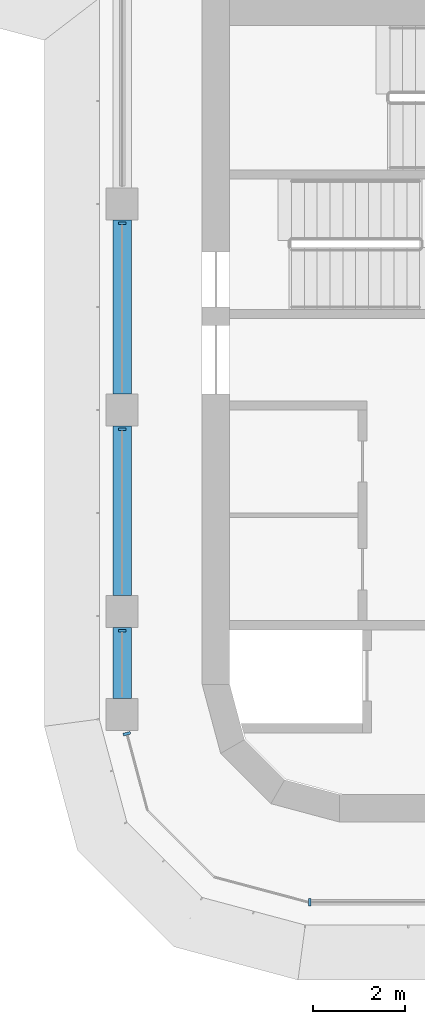
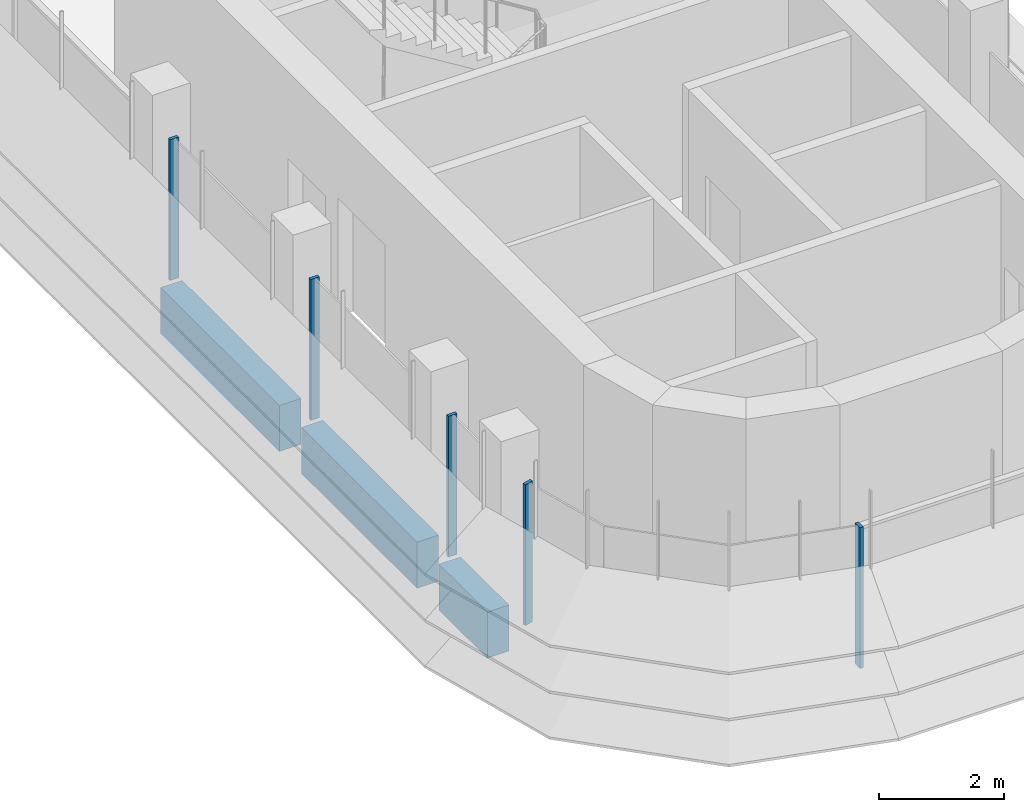
# One storey, part 2 of 19: 5 members, 3 beams, 3 elements without a shape of their own.
"""IFC4 building model written with IfcOpenShell, lengths in metres."""

from ifc_helpers import new_model, si_unit, direction, frame, origin, origin_2d, place, context, subcontext, project, spatial, polyline, rectangle, outline, extrude, source, transform, mapped, material, material_profile, profile_set, type_object, element, aggregate, save


model = new_model("IFC4")

# Units and contexts
model_context = context("Model", 3, precision=1e-05, world=origin(), true_north=direction((0.0, 1.0)))
body_context = subcontext(model_context, "Body", "Model", "MODEL_VIEW")
ifc_project = project(units=[si_unit("LENGTHUNIT", "METRE"), si_unit("AREAUNIT", "SQUARE_METRE"), si_unit("VOLUMEUNIT", "CUBIC_METRE"), si_unit("PLANEANGLEUNIT", "RADIAN"), si_unit("MASSUNIT", "GRAM", prefix="KILO")], contexts=[model_context])

# Site, building, storey
site_placement = place(None, origin())
site = spatial("IfcSite", under=ifc_project, at=site_placement, CompositionType="ELEMENT")
building_placement = place(site_placement, origin())
building = spatial("IfcBuilding", under=site, at=building_placement, Name="Zarbagh Exchange Tower", CompositionType="ELEMENT")
storey_placement = place(building_placement, frame((0.0, 0.0, 222.0)))
storey = spatial("IfcBuildingStorey", under=building, at=storey_placement, Name="L54", CompositionType="ELEMENT", Elevation=222.0)

# Beams
ifc_material_1 = material(Name="Concrete C50/60", Category="concrete")
ifc_material_profile = material_profile(ifc_material_1, rectangle(XDim=0.39990234375, YDim=0.89990234375, at=origin_2d()), Name="RC spandrel beam 400 x 900 C50/60")
ifc_profile_set = profile_set([ifc_material_profile], Name="Concrete C50/60")
beam_type = type_object("IfcBeamType", Name="RC spandrel beam 400 x 900 C50/60", PredefinedType="SPANDREL", material=ifc_profile_set)
beam_1_placement = place(storey_placement, frame((-6.25, -26.550048828125, -0.60009765625), z_axis=(0.0, 1.0, 0.0), x_axis=(-1.0, 0.0, 0.0)))
element("IfcBeam", 1, at=beam_1_placement, inside=storey, type_object=beam_type, Name="RC spandrel beam", PredefinedType="SPANDREL", context=body_context, shape_type="SweptSolid", body=[
    extrude(rectangle(XDim=0.39990234375, YDim=0.89990234375, at=origin_2d()), origin(), (0.0, 0.0, 1.0), 1.550048828125),
])
beam_2_placement = place(storey_placement, frame((-6.25, -24.300048828125, -0.60009765625), z_axis=(0.0, 1.0, 0.0), x_axis=(-1.0, 0.0, 0.0)))
element("IfcBeam", 2, at=beam_2_placement, inside=storey, type_object=beam_type, Name="RC spandrel beam", PredefinedType="SPANDREL", context=body_context, shape_type="SweptSolid", body=[
    extrude(rectangle(XDim=0.39990234375, YDim=0.89990234375, at=origin_2d()), origin(), (0.0, 0.0, 1.0), 3.699951171875),
])
beam_3_placement = place(storey_placement, frame((-6.25, -19.89990234375, -0.60009765625), z_axis=(0.0, 1.0, 0.0), x_axis=(-1.0, 0.0, 0.0)))
element("IfcBeam", 3, at=beam_3_placement, inside=storey, type_object=beam_type, Name="RC spandrel beam", PredefinedType="SPANDREL", context=body_context, shape_type="SweptSolid", body=[
    extrude(rectangle(XDim=0.39990234375, YDim=0.89990234375, at=origin_2d()), origin(), (0.0, 0.0, 1.0), 3.7998046875),
])

# Curtain wall, members
ifc_material_2 = material(Name="Anodised aluminium frame and glazing", Category="aluminium")
curtain_wall_type = type_object("IfcCurtainWallType", Name="CWB Ribbon glazing, upper zones", PredefinedType="NOTDEFINED", material=ifc_material_2)
curtain_wall_1_placement = place(storey_placement, origin())
curtain_wall_1 = element("IfcCurtainWall", 4, at=curtain_wall_1_placement, inside=storey, type_object=curtain_wall_type, Name="CWB53 curtain wall", PredefinedType="NOTDEFINED")
ifc_material_3 = material(Name="Anodised aluminium frame", Category="aluminium")
member_type = type_object("IfcMemberType", Name="MUB Mullion, anodised aluminium frame", PredefinedType="MULLION", material=ifc_material_3)
shared_shape = source(origin(), body_context, "Body", "SweptSolid", [
    extrude(outline(polyline([(0.0, -0.080078125), (0.06005859375, -0.080078125), (0.06005859375, 0.080078125), (0.0, 0.080078125), (0.0, -0.080078125)])), origin(), (0.0, 0.0, 1.0), 2.75),
])
placement = place(storey_placement, origin())
member_1 = element("IfcMember", 5, at=placement, type_object=member_type, Name="CWB53 mullion 2.1", PredefinedType="MULLION", context=body_context, shape_type="MappedRepresentation", body=[
    mapped(shared_shape, transform((-6.25, -16.14013671875, 0.0), x_axis=(0.0, -1.0, 0.0), y_axis=(1.0, 0.0, 0.0), z_axis=(0.0, 0.0, 1.0))),
])
member_2 = element("IfcMember", 6, at=placement, type_object=member_type, Name="CWB53 mullion 3.1", PredefinedType="MULLION", context=body_context, shape_type="MappedRepresentation", body=[
    mapped(shared_shape, transform((-6.25, -20.64013671875, 0.0), x_axis=(0.0, -1.0, 0.0), y_axis=(1.0, 0.0, 0.0), z_axis=(0.0, 0.0, 1.0))),
])
member_3 = element("IfcMember", 7, at=placement, type_object=member_type, Name="CWB53 mullion 4.1", PredefinedType="MULLION", context=body_context, shape_type="MappedRepresentation", body=[
    mapped(shared_shape, transform((-6.25, -25.0400390625, 0.0), x_axis=(0.0, -1.0, 0.0), y_axis=(1.0, 0.0, 0.0), z_axis=(0.0, 0.0, 1.0))),
])
aggregate(curtain_wall_1, [member_1, member_2, member_3])

# Curtain wall, member
curtain_wall_2_placement = place(storey_placement, origin())
curtain_wall_2 = element("IfcCurtainWall", 8, at=curtain_wall_2_placement, inside=storey, type_object=curtain_wall_type, Name="CWB54 curtain wall", PredefinedType="NOTDEFINED")
member_4 = element("IfcMember", 9, at=placement, type_object=member_type, Name="CWB54 mullion 1.1", PredefinedType="MULLION", context=body_context, shape_type="MappedRepresentation", body=[
    mapped(shared_shape, transform((-6.154541015625, -27.2900390625, 0.0), x_axis=(0.258824779902, -0.965924289636, 0.0), y_axis=(0.965924289636, 0.258824779902, 0.0), z_axis=(0.0, 0.0, 1.0))),
])
aggregate(curtain_wall_2, [member_4])

curtain_wall_3_placement = place(storey_placement, origin())
curtain_wall_3 = element("IfcCurtainWall", 10, at=curtain_wall_3_placement, inside=storey, type_object=curtain_wall_type, Name="CWB57 curtain wall", PredefinedType="NOTDEFINED")
member_5 = element("IfcMember", 11, at=placement, type_object=member_type, Name="CWB57 mullion 1.1", PredefinedType="MULLION", context=body_context, shape_type="MappedRepresentation", body=[
    mapped(shared_shape, transform((-2.18408203125, -31.0, 0.0), x_axis=(1.0, 0.0, 0.0), y_axis=(0.0, 1.0, 0.0), z_axis=(0.0, 0.0, 1.0))),
])
aggregate(curtain_wall_3, [member_5])

save(model, "model.ifc")
